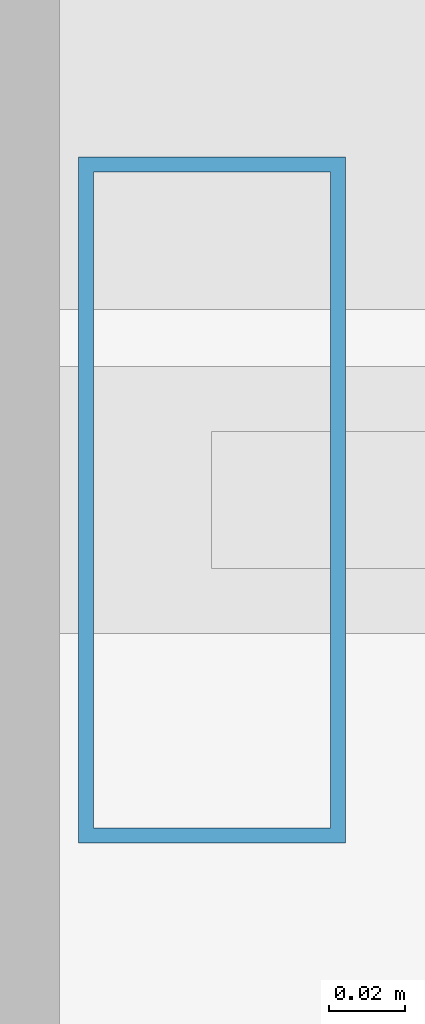
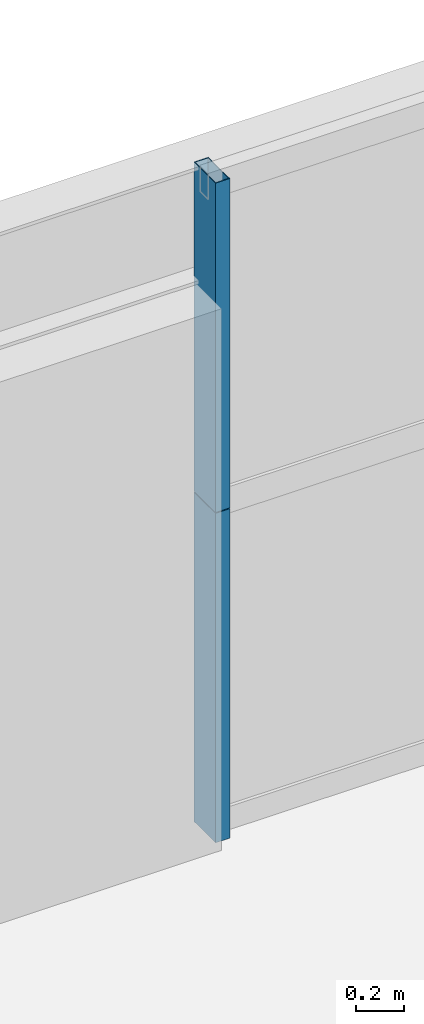
# One storey, part 26 of 43: 2 members, 1 element without a shape of its own.
"""IFC4 building model written with IfcOpenShell, lengths in metres."""

from ifc_helpers import new_model, si_unit, direction, frame, origin, origin_2d, place, context, subcontext, project, spatial, hollow_rectangle, extrude, source, transform, mapped, material, layer, layer_set, material_profile, profile_set, type_object, element, aggregate, save


model = new_model("IFC4")

# Units and contexts
model_context = context("Model", 3, precision=1e-05, world=origin(), true_north=direction((0.0, 1.0)))
body_context = subcontext(model_context, "Body", "Model", "MODEL_VIEW")
ifc_project = project(units=[si_unit("LENGTHUNIT", "METRE"), si_unit("AREAUNIT", "SQUARE_METRE"), si_unit("VOLUMEUNIT", "CUBIC_METRE"), si_unit("PLANEANGLEUNIT", "RADIAN"), si_unit("MASSUNIT", "GRAM", prefix="KILO"), si_unit("THERMODYNAMICTEMPERATUREUNIT", "KELVIN"), si_unit("POWERUNIT", "WATT")], contexts=[model_context])

# Site, building, storey
site_placement = place(None, origin())
site = spatial("IfcSite", under=ifc_project, at=site_placement, CompositionType="ELEMENT")
building_placement = place(site_placement, origin())
building = spatial("IfcBuilding", under=site, at=building_placement, Name="Yuzanri Waterfront Tower", CompositionType="ELEMENT")
storey_placement = place(building_placement, frame((0.0, 0.0, 53.199951171875)))
storey = spatial("IfcBuildingStorey", under=building, at=storey_placement, Name="L13", CompositionType="ELEMENT", Elevation=53.199951171875)

# Curtain wall, members
ifc_material_1 = material(Name="Anodized Architectural Bronze", Category="metal")
ifc_layer = layer(ifc_material_1, 0.159912109375)
ifc_layer_set = layer_set([ifc_layer], Name="Anodized Architectural Bronze")
curtain_wall_type = type_object("IfcCurtainWallType", Name="Anodized Bronze Hotel Lower-Tier Recessed Unitized Curtain Wall 8100", PredefinedType="NOTDEFINED", material=ifc_layer_set)
curtain_wall_placement = place(storey_placement, origin())
curtain_wall = element("IfcCurtainWall", 1, at=curtain_wall_placement, inside=storey, type_object=curtain_wall_type, Name="L13 Curtain Wall CW-L13-NL", PredefinedType="NOTDEFINED")
ifc_material_2 = material(Name="Anodized Architectural Bronze", Category="metal")
ifc_material_profile = material_profile(ifc_material_2, hollow_rectangle(XDim=0.070068359375, YDim=0.179931640625, WallThickness=0.00390625, at=origin_2d()), Name="CWM 70x180")
ifc_profile_set = profile_set([ifc_material_profile], Name="Anodized Architectural Bronze")
member_type = type_object("IfcMemberType", Name="Anodized Bronze Standard Curtain-Wall Mullion 70x180", PredefinedType="MULLION", material=ifc_profile_set)
shared_shape = source(origin(), body_context, "Body", "SweptSolid", [
    extrude(hollow_rectangle(XDim=0.070068359375, YDim=0.179931640625, WallThickness=0.00390625, at=origin_2d()), origin(), (0.0, 0.0, 1.0), 1.68798828125),
])
member_1_placement = place(storey_placement, frame((19.2900390625, 50.75, 0.0), z_axis=(0.0, 0.0, 1.0), x_axis=(1.0, 0.0, 0.0)))
member_1 = element("IfcMember", 2, at=member_1_placement, type_object=member_type, Name="CW-L13-NL Lower Mullion 00", PredefinedType="MULLION", context=body_context, shape_type="MappedRepresentation", body=[
    mapped(shared_shape, transform((0.0, 0.0, 0.0), scale=1.0)),
])
member_2_placement = place(storey_placement, frame((19.2900390625, 50.75, 1.692138671875), z_axis=(0.0, 0.0, 1.0), x_axis=(1.0, 0.0, 0.0)))
member_2 = element("IfcMember", 3, at=member_2_placement, type_object=member_type, Name="CW-L13-NL Upper Mullion 00", PredefinedType="MULLION", context=body_context, shape_type="MappedRepresentation", body=[
    mapped(shared_shape, transform((0.0, 0.0, 0.0), scale=1.0)),
])
aggregate(curtain_wall, [member_1, member_2])

save(model, "model.ifc")
